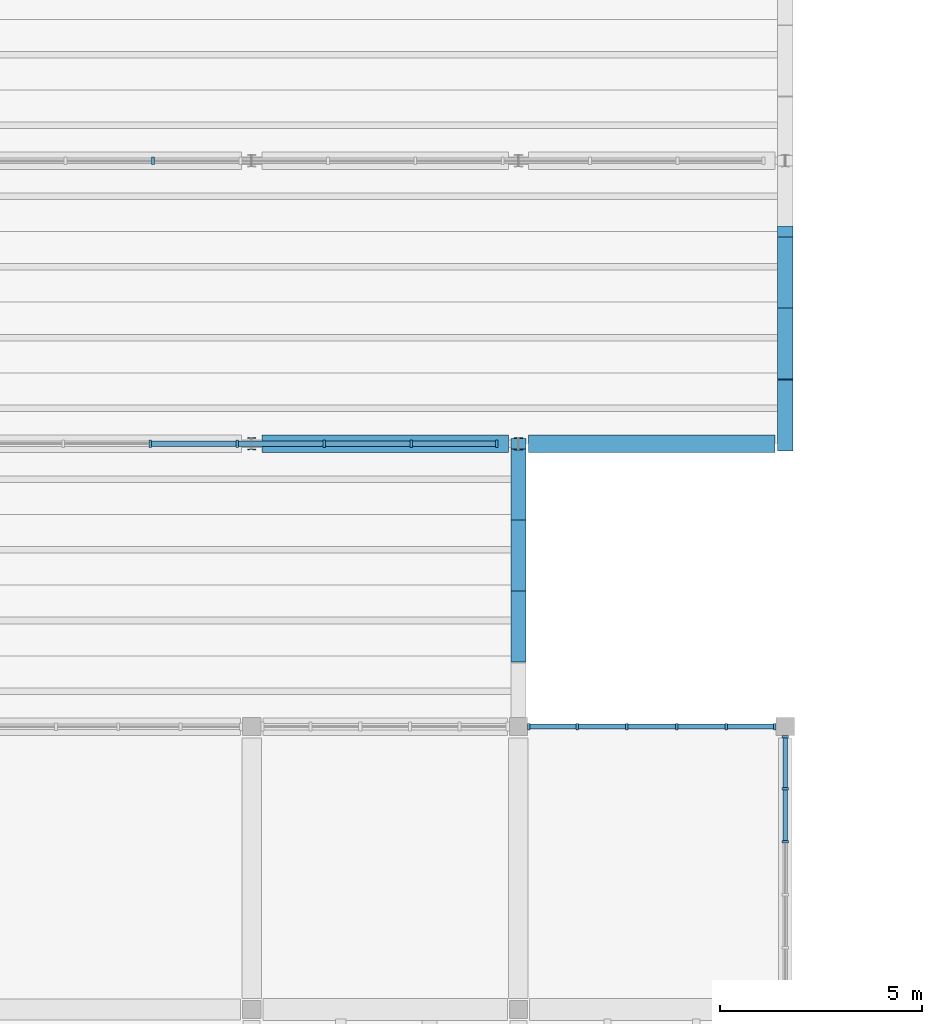
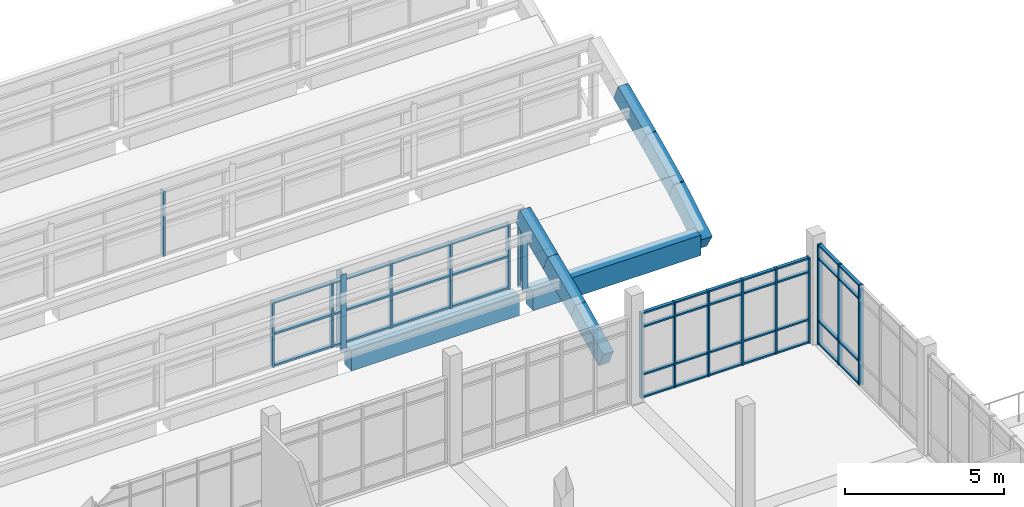
# One storey, part 34 of 92: 57 members, 8 beams, 4 elements without a shape of their own.
"""IFC4 building model written with IfcOpenShell, lengths in metres."""

from ifc_helpers import new_model, si_unit, direction, frame, origin, origin_2d, place, context, subcontext, project, spatial, rectangle, i_section, extrude, material, material_profile, profile_set, type_object, element, aggregate, save


model = new_model("IFC4")

# Units and contexts
model_context = context("Model", 3, precision=1e-05, world=origin(), true_north=direction((0.0, 1.0)))
body_context = subcontext(model_context, "Body", "Model", "MODEL_VIEW")
ifc_project = project(units=[si_unit("LENGTHUNIT", "METRE"), si_unit("AREAUNIT", "SQUARE_METRE"), si_unit("VOLUMEUNIT", "CUBIC_METRE"), si_unit("PLANEANGLEUNIT", "RADIAN"), si_unit("MASSUNIT", "GRAM", prefix="KILO")], contexts=[model_context])

# Site, building, storey
site_placement = place(None, origin())
site = spatial("IfcSite", under=ifc_project, at=site_placement, CompositionType="ELEMENT")
building_placement = place(site_placement, origin())
building = spatial("IfcBuilding", under=site, at=building_placement, Name="Ciguamira Faculty of Natural Sciences", CompositionType="ELEMENT")
storey_placement = place(building_placement, frame((0.0, 0.0, 16.800048828125)))
storey = spatial("IfcBuildingStorey", under=building, at=storey_placement, Name="L04", CompositionType="ELEMENT", Elevation=16.800048828125)

# Curtain wall, members
ifc_material_1 = material(Name="Anodized aluminium curtain wall", Category="aluminium")
curtain_wall_type_1 = type_object("IfcCurtainWallType", Name="CurtainWall_CW-01", PredefinedType="USERDEFINED", material=ifc_material_1)
curtain_wall_1_placement = place(storey_placement, origin())
curtain_wall_1 = element("IfcCurtainWall", 1, at=curtain_wall_1_placement, inside=storey, type_object=curtain_wall_type_1, Name="L04 unitised curtain wall 0121", ObjectType="UNITISED CURTAIN WALL", PredefinedType="USERDEFINED")
ifc_material_2 = material(Name="Anodized aluminium mullion", Category="aluminium")
ifc_material_profile_1 = material_profile(ifc_material_2, rectangle(XDim=0.06005859375, YDim=0.159912109375, at=origin_2d()), Name="ALU-MUL-60X160")
ifc_profile_set_1 = profile_set([ifc_material_profile_1], Name="Anodized aluminium mullion")
member_type_1 = type_object("IfcMemberType", Name="CWMullion_CWM-01", PredefinedType="MULLION", material=ifc_profile_set_1)
member_1_placement = place(storey_placement, frame((110.35498046875, 38.0, 0.0), z_axis=(0.0, 0.0, 1.0), x_axis=(1.0, 0.0, 0.0)))
member_1 = element("IfcMember", 2, at=member_1_placement, type_object=member_type_1, Name="CW-01 mullion 1", PredefinedType="MULLION", context=body_context, shape_type="SweptSolid", body=[
    extrude(rectangle(XDim=0.06005859375, YDim=0.159912109375, at=origin_2d()), origin(), (0.0, 0.0, 1.0), 3.284912109375),
])
member_2_placement = place(storey_placement, frame((111.554931640625, 38.0, 0.0), z_axis=(0.0, 0.0, 1.0), x_axis=(1.0, 0.0, 0.0)))
member_2 = element("IfcMember", 3, at=member_2_placement, type_object=member_type_1, Name="CW-01 mullion 2", PredefinedType="MULLION", context=body_context, shape_type="SweptSolid", body=[
    extrude(rectangle(XDim=0.06005859375, YDim=0.159912109375, at=origin_2d()), origin(), (0.0, 0.0, 1.0), 3.284912109375),
])
member_3_placement = place(storey_placement, frame((112.784912109375, 38.0, 0.0), z_axis=(0.0, 0.0, 1.0), x_axis=(1.0, 0.0, 0.0)))
member_3 = element("IfcMember", 4, at=member_3_placement, type_object=member_type_1, Name="CW-01 mullion 3", PredefinedType="MULLION", context=body_context, shape_type="SweptSolid", body=[
    extrude(rectangle(XDim=0.06005859375, YDim=0.159912109375, at=origin_2d()), origin(), (0.0, 0.0, 1.0), 3.284912109375),
])
member_4_placement = place(storey_placement, frame((114.014892578125, 38.0, 0.0), z_axis=(0.0, 0.0, 1.0), x_axis=(1.0, 0.0, 0.0)))
member_4 = element("IfcMember", 5, at=member_4_placement, type_object=member_type_1, Name="CW-01 mullion 4", PredefinedType="MULLION", context=body_context, shape_type="SweptSolid", body=[
    extrude(rectangle(XDim=0.06005859375, YDim=0.159912109375, at=origin_2d()), origin(), (0.0, 0.0, 1.0), 3.284912109375),
])
member_5_placement = place(storey_placement, frame((115.2451171875, 38.0, 0.0), z_axis=(0.0, 0.0, 1.0), x_axis=(1.0, 0.0, 0.0)))
member_5 = element("IfcMember", 6, at=member_5_placement, type_object=member_type_1, Name="CW-01 mullion 5", PredefinedType="MULLION", context=body_context, shape_type="SweptSolid", body=[
    extrude(rectangle(XDim=0.06005859375, YDim=0.159912109375, at=origin_2d()), origin(), (0.0, 0.0, 1.0), 3.284912109375),
])
member_6_placement = place(storey_placement, frame((116.445068359375, 38.0, 0.0), z_axis=(0.0, 0.0, 1.0), x_axis=(1.0, 0.0, 0.0)))
member_6 = element("IfcMember", 7, at=member_6_placement, type_object=member_type_1, Name="CW-01 mullion 6", PredefinedType="MULLION", context=body_context, shape_type="SweptSolid", body=[
    extrude(rectangle(XDim=0.06005859375, YDim=0.159912109375, at=origin_2d()), origin(), (0.0, 0.0, 1.0), 3.284912109375),
])

curtain_wall_2_placement = place(storey_placement, origin())
curtain_wall_2 = element("IfcCurtainWall", 8, at=curtain_wall_2_placement, inside=storey, type_object=curtain_wall_type_1, Name="L04 unitised curtain wall 0133", ObjectType="UNITISED CURTAIN WALL", PredefinedType="USERDEFINED")
member_7_placement = place(storey_placement, frame((116.699951171875, 35.155029296875, 0.0), z_axis=(0.0, 0.0, 1.0), x_axis=(0.0, 1.0, 0.0)))
member_7 = element("IfcMember", 9, at=member_7_placement, type_object=member_type_1, Name="CW-01 mullion 4", PredefinedType="MULLION", context=body_context, shape_type="SweptSolid", body=[
    extrude(rectangle(XDim=0.06005859375, YDim=0.159912109375, at=origin_2d()), origin(), (0.0, 0.0, 1.0), 3.849853515625),
])
member_8_placement = place(storey_placement, frame((116.699951171875, 36.465087890625, 0.0), z_axis=(0.0, 0.0, 1.0), x_axis=(0.0, 1.0, 0.0)))
member_8 = element("IfcMember", 10, at=member_8_placement, type_object=member_type_1, Name="CW-01 mullion 5", PredefinedType="MULLION", context=body_context, shape_type="SweptSolid", body=[
    extrude(rectangle(XDim=0.06005859375, YDim=0.159912109375, at=origin_2d()), origin(), (0.0, 0.0, 1.0), 3.849853515625),
])
member_9_placement = place(storey_placement, frame((116.699951171875, 37.7451171875, 0.0), z_axis=(0.0, 0.0, 1.0), x_axis=(0.0, 1.0, 0.0)))
member_9 = element("IfcMember", 11, at=member_9_placement, type_object=member_type_1, Name="CW-01 mullion 6", PredefinedType="MULLION", context=body_context, shape_type="SweptSolid", body=[
    extrude(rectangle(XDim=0.06005859375, YDim=0.159912109375, at=origin_2d()), origin(), (0.0, 0.0, 1.0), 3.849853515625),
])

curtain_wall_type_2 = type_object("IfcCurtainWallType", Name="CurtainWall_CW-02", PredefinedType="USERDEFINED", material=ifc_material_1)
curtain_wall_3_placement = place(storey_placement, origin())
curtain_wall_3 = element("IfcCurtainWall", 12, at=curtain_wall_3_placement, inside=storey, type_object=curtain_wall_type_2, Name="V4 north-light wave 1 clerestory glazing 1", ObjectType="UNITISED CURTAIN WALL", PredefinedType="USERDEFINED")
ifc_material_profile_2 = material_profile(ifc_material_2, rectangle(XDim=0.070068359375, YDim=0.179931640625, at=origin_2d()), Name="ALU-MUL-70X180")
ifc_profile_set_2 = profile_set([ifc_material_profile_2], Name="Anodized aluminium mullion")
member_type_2 = type_object("IfcMemberType", Name="CWMullion_CWM-02", PredefinedType="MULLION", material=ifc_profile_set_2)
member_10_placement = place(storey_placement, frame((100.990478515625, 45.0, 0.25), z_axis=(0.0, 0.0, 1.0), x_axis=(1.0, 0.0, 0.0)))
member_10 = element("IfcMember", 13, at=member_10_placement, type_object=member_type_2, Name="CW-02 mullion 18", PredefinedType="MULLION", context=body_context, shape_type="SweptSolid", body=[
    extrude(rectangle(XDim=0.070068359375, YDim=0.179931640625, at=origin_2d()), origin(), (0.0, 0.0, 1.0), 2.5),
])
member_11_placement = place(storey_placement, frame((103.142822265625, 45.0, 0.25), z_axis=(0.0, 0.0, 1.0), x_axis=(1.0, 0.0, 0.0)))
member_11 = element("IfcMember", 14, at=member_11_placement, type_object=member_type_2, Name="CW-02 mullion 19", PredefinedType="MULLION", context=body_context, shape_type="SweptSolid", body=[
    extrude(rectangle(XDim=0.070068359375, YDim=0.179931640625, at=origin_2d()), origin(), (0.0, 0.0, 1.0), 2.5),
])
member_12_placement = place(storey_placement, frame((105.295166015625, 45.0, 0.25), z_axis=(0.0, 0.0, 1.0), x_axis=(1.0, 0.0, 0.0)))
member_12 = element("IfcMember", 15, at=member_12_placement, type_object=member_type_2, Name="CW-02 mullion 20", PredefinedType="MULLION", context=body_context, shape_type="SweptSolid", body=[
    extrude(rectangle(XDim=0.070068359375, YDim=0.179931640625, at=origin_2d()), origin(), (0.0, 0.0, 1.0), 2.5),
])
member_13_placement = place(storey_placement, frame((107.447509765625, 45.0, 0.25), z_axis=(0.0, 0.0, 1.0), x_axis=(1.0, 0.0, 0.0)))
member_13 = element("IfcMember", 16, at=member_13_placement, type_object=member_type_2, Name="CW-02 mullion 21", PredefinedType="MULLION", context=body_context, shape_type="SweptSolid", body=[
    extrude(rectangle(XDim=0.070068359375, YDim=0.179931640625, at=origin_2d()), origin(), (0.0, 0.0, 1.0), 2.5),
])
member_14_placement = place(storey_placement, frame((109.56494140625, 45.0, 0.25), z_axis=(0.0, 0.0, 1.0), x_axis=(1.0, 0.0, 0.0)))
member_14 = element("IfcMember", 17, at=member_14_placement, type_object=member_type_2, Name="CW-02 mullion 22", PredefinedType="MULLION", context=body_context, shape_type="SweptSolid", body=[
    extrude(rectangle(XDim=0.070068359375, YDim=0.179931640625, at=origin_2d()), origin(), (0.0, 0.0, 1.0), 2.5),
])

# Curtain wall, member
curtain_wall_type_3 = type_object("IfcCurtainWallType", Name="CurtainWall_CW-03", PredefinedType="USERDEFINED", material=ifc_material_1)
curtain_wall_4_placement = place(storey_placement, origin())
curtain_wall_4 = element("IfcCurtainWall", 18, at=curtain_wall_4_placement, inside=storey, type_object=curtain_wall_type_3, Name="V4 north-light wave 2 clerestory glazing 1", ObjectType="UNITISED CURTAIN WALL", PredefinedType="USERDEFINED")
member_15_placement = place(storey_placement, frame((101.059326171875, 52.0, 0.25), z_axis=(0.0, 0.0, 1.0), x_axis=(1.0, 0.0, 0.0)))
member_15 = element("IfcMember", 19, at=member_15_placement, type_object=member_type_2, Name="CW-03 mullion 21", PredefinedType="MULLION", context=body_context, shape_type="SweptSolid", body=[
    extrude(rectangle(XDim=0.070068359375, YDim=0.179931640625, at=origin_2d()), origin(), (0.0, 0.0, 1.0), 2.5),
])
aggregate(curtain_wall_4, [member_15])

# Member
ifc_material_3 = material(Name="Anodized aluminium transom", Category="aluminium")
ifc_material_profile_3 = material_profile(ifc_material_3, rectangle(XDim=0.06005859375, YDim=0.1201171875, at=origin_2d()), Name="ALU-TRN-60X120")
ifc_profile_set_3 = profile_set([ifc_material_profile_3], Name="Anodized aluminium transom")
member_type_3 = type_object("IfcMemberType", Name="CWTransom_CWT-01", PredefinedType="USERDEFINED", material=ifc_profile_set_3)
member_16_placement = place(storey_placement, frame((110.385009765625, 38.0, 0.030029296875), z_axis=(1.0, 0.0, 0.0), x_axis=(0.0, 0.0, 1.0)))
member_16 = element("IfcMember", 20, at=member_16_placement, type_object=member_type_3, Name="CW-01 transom 1.1", ObjectType="TRANSOM", PredefinedType="USERDEFINED", context=body_context, shape_type="SweptSolid", body=[
    extrude(rectangle(XDim=0.06005859375, YDim=0.1201171875, at=origin_2d()), origin(), (0.0, 0.0, 1.0), 1.139892578125),
])

member_17_placement = place(storey_placement, frame((110.385009765625, 38.0, 0.89990234375), z_axis=(1.0, 0.0, 0.0), x_axis=(0.0, 0.0, 1.0)))
member_17 = element("IfcMember", 21, at=member_17_placement, type_object=member_type_3, Name="CW-01 transom 1.2", ObjectType="TRANSOM", PredefinedType="USERDEFINED", context=body_context, shape_type="SweptSolid", body=[
    extrude(rectangle(XDim=0.06005859375, YDim=0.1201171875, at=origin_2d()), origin(), (0.0, 0.0, 1.0), 1.139892578125),
])

member_18_placement = place(storey_placement, frame((110.385009765625, 38.0, 2.73486328125), z_axis=(1.0, 0.0, 0.0), x_axis=(0.0, 0.0, 1.0)))
member_18 = element("IfcMember", 22, at=member_18_placement, type_object=member_type_3, Name="CW-01 transom 1.3", ObjectType="TRANSOM", PredefinedType="USERDEFINED", context=body_context, shape_type="SweptSolid", body=[
    extrude(rectangle(XDim=0.06005859375, YDim=0.1201171875, at=origin_2d()), origin(), (0.0, 0.0, 1.0), 1.139892578125),
])

member_19_placement = place(storey_placement, frame((110.385009765625, 38.0, 3.2548828125), z_axis=(1.0, 0.0, 0.0), x_axis=(0.0, 0.0, 1.0)))
member_19 = element("IfcMember", 23, at=member_19_placement, type_object=member_type_3, Name="CW-01 transom 1.4", ObjectType="TRANSOM", PredefinedType="USERDEFINED", context=body_context, shape_type="SweptSolid", body=[
    extrude(rectangle(XDim=0.06005859375, YDim=0.1201171875, at=origin_2d()), origin(), (0.0, 0.0, 1.0), 1.139892578125),
])

member_20_placement = place(storey_placement, frame((111.5849609375, 38.0, 0.030029296875), z_axis=(1.0, 0.0, 0.0), x_axis=(0.0, 0.0, 1.0)))
member_20 = element("IfcMember", 24, at=member_20_placement, type_object=member_type_3, Name="CW-01 transom 2.1", ObjectType="TRANSOM", PredefinedType="USERDEFINED", context=body_context, shape_type="SweptSolid", body=[
    extrude(rectangle(XDim=0.06005859375, YDim=0.1201171875, at=origin_2d()), origin(), (0.0, 0.0, 1.0), 1.169921875),
])

member_21_placement = place(storey_placement, frame((111.5849609375, 38.0, 0.89990234375), z_axis=(1.0, 0.0, 0.0), x_axis=(0.0, 0.0, 1.0)))
member_21 = element("IfcMember", 25, at=member_21_placement, type_object=member_type_3, Name="CW-01 transom 2.2", ObjectType="TRANSOM", PredefinedType="USERDEFINED", context=body_context, shape_type="SweptSolid", body=[
    extrude(rectangle(XDim=0.06005859375, YDim=0.1201171875, at=origin_2d()), origin(), (0.0, 0.0, 1.0), 1.169921875),
])

member_22_placement = place(storey_placement, frame((111.5849609375, 38.0, 2.73486328125), z_axis=(1.0, 0.0, 0.0), x_axis=(0.0, 0.0, 1.0)))
member_22 = element("IfcMember", 26, at=member_22_placement, type_object=member_type_3, Name="CW-01 transom 2.3", ObjectType="TRANSOM", PredefinedType="USERDEFINED", context=body_context, shape_type="SweptSolid", body=[
    extrude(rectangle(XDim=0.06005859375, YDim=0.1201171875, at=origin_2d()), origin(), (0.0, 0.0, 1.0), 1.169921875),
])

member_23_placement = place(storey_placement, frame((111.5849609375, 38.0, 3.2548828125), z_axis=(1.0, 0.0, 0.0), x_axis=(0.0, 0.0, 1.0)))
member_23 = element("IfcMember", 27, at=member_23_placement, type_object=member_type_3, Name="CW-01 transom 2.4", ObjectType="TRANSOM", PredefinedType="USERDEFINED", context=body_context, shape_type="SweptSolid", body=[
    extrude(rectangle(XDim=0.06005859375, YDim=0.1201171875, at=origin_2d()), origin(), (0.0, 0.0, 1.0), 1.169921875),
])

member_24_placement = place(storey_placement, frame((112.81494140625, 38.0, 0.030029296875), z_axis=(1.0, 0.0, 0.0), x_axis=(0.0, 0.0, 1.0)))
member_24 = element("IfcMember", 28, at=member_24_placement, type_object=member_type_3, Name="CW-01 transom 3.1", ObjectType="TRANSOM", PredefinedType="USERDEFINED", context=body_context, shape_type="SweptSolid", body=[
    extrude(rectangle(XDim=0.06005859375, YDim=0.1201171875, at=origin_2d()), origin(), (0.0, 0.0, 1.0), 1.170166015625),
])

member_25_placement = place(storey_placement, frame((112.81494140625, 38.0, 0.89990234375), z_axis=(1.0, 0.0, 0.0), x_axis=(0.0, 0.0, 1.0)))
member_25 = element("IfcMember", 29, at=member_25_placement, type_object=member_type_3, Name="CW-01 transom 3.2", ObjectType="TRANSOM", PredefinedType="USERDEFINED", context=body_context, shape_type="SweptSolid", body=[
    extrude(rectangle(XDim=0.06005859375, YDim=0.1201171875, at=origin_2d()), origin(), (0.0, 0.0, 1.0), 1.170166015625),
])

member_26_placement = place(storey_placement, frame((112.81494140625, 38.0, 2.73486328125), z_axis=(1.0, 0.0, 0.0), x_axis=(0.0, 0.0, 1.0)))
member_26 = element("IfcMember", 30, at=member_26_placement, type_object=member_type_3, Name="CW-01 transom 3.3", ObjectType="TRANSOM", PredefinedType="USERDEFINED", context=body_context, shape_type="SweptSolid", body=[
    extrude(rectangle(XDim=0.06005859375, YDim=0.1201171875, at=origin_2d()), origin(), (0.0, 0.0, 1.0), 1.170166015625),
])

member_27_placement = place(storey_placement, frame((112.81494140625, 38.0, 3.2548828125), z_axis=(1.0, 0.0, 0.0), x_axis=(0.0, 0.0, 1.0)))
member_27 = element("IfcMember", 31, at=member_27_placement, type_object=member_type_3, Name="CW-01 transom 3.4", ObjectType="TRANSOM", PredefinedType="USERDEFINED", context=body_context, shape_type="SweptSolid", body=[
    extrude(rectangle(XDim=0.06005859375, YDim=0.1201171875, at=origin_2d()), origin(), (0.0, 0.0, 1.0), 1.170166015625),
])

member_28_placement = place(storey_placement, frame((114.044921875, 38.0, 0.030029296875), z_axis=(1.0, 0.0, 0.0), x_axis=(0.0, 0.0, 1.0)))
member_28 = element("IfcMember", 32, at=member_28_placement, type_object=member_type_3, Name="CW-01 transom 4.1", ObjectType="TRANSOM", PredefinedType="USERDEFINED", context=body_context, shape_type="SweptSolid", body=[
    extrude(rectangle(XDim=0.06005859375, YDim=0.1201171875, at=origin_2d()), origin(), (0.0, 0.0, 1.0), 1.170166015625),
])

member_29_placement = place(storey_placement, frame((114.044921875, 38.0, 0.89990234375), z_axis=(1.0, 0.0, 0.0), x_axis=(0.0, 0.0, 1.0)))
member_29 = element("IfcMember", 33, at=member_29_placement, type_object=member_type_3, Name="CW-01 transom 4.2", ObjectType="TRANSOM", PredefinedType="USERDEFINED", context=body_context, shape_type="SweptSolid", body=[
    extrude(rectangle(XDim=0.06005859375, YDim=0.1201171875, at=origin_2d()), origin(), (0.0, 0.0, 1.0), 1.170166015625),
])

member_30_placement = place(storey_placement, frame((114.044921875, 38.0, 2.73486328125), z_axis=(1.0, 0.0, 0.0), x_axis=(0.0, 0.0, 1.0)))
member_30 = element("IfcMember", 34, at=member_30_placement, type_object=member_type_3, Name="CW-01 transom 4.3", ObjectType="TRANSOM", PredefinedType="USERDEFINED", context=body_context, shape_type="SweptSolid", body=[
    extrude(rectangle(XDim=0.06005859375, YDim=0.1201171875, at=origin_2d()), origin(), (0.0, 0.0, 1.0), 1.170166015625),
])

member_31_placement = place(storey_placement, frame((114.044921875, 38.0, 3.2548828125), z_axis=(1.0, 0.0, 0.0), x_axis=(0.0, 0.0, 1.0)))
member_31 = element("IfcMember", 35, at=member_31_placement, type_object=member_type_3, Name="CW-01 transom 4.4", ObjectType="TRANSOM", PredefinedType="USERDEFINED", context=body_context, shape_type="SweptSolid", body=[
    extrude(rectangle(XDim=0.06005859375, YDim=0.1201171875, at=origin_2d()), origin(), (0.0, 0.0, 1.0), 1.170166015625),
])

member_32_placement = place(storey_placement, frame((115.27490234375, 38.0, 0.030029296875), z_axis=(1.0, 0.0, 0.0), x_axis=(0.0, 0.0, 1.0)))
member_32 = element("IfcMember", 36, at=member_32_placement, type_object=member_type_3, Name="CW-01 transom 5.1", ObjectType="TRANSOM", PredefinedType="USERDEFINED", context=body_context, shape_type="SweptSolid", body=[
    extrude(rectangle(XDim=0.06005859375, YDim=0.1201171875, at=origin_2d()), origin(), (0.0, 0.0, 1.0), 1.14013671875),
])

member_33_placement = place(storey_placement, frame((115.27490234375, 38.0, 0.89990234375), z_axis=(1.0, 0.0, 0.0), x_axis=(0.0, 0.0, 1.0)))
member_33 = element("IfcMember", 37, at=member_33_placement, type_object=member_type_3, Name="CW-01 transom 5.2", ObjectType="TRANSOM", PredefinedType="USERDEFINED", context=body_context, shape_type="SweptSolid", body=[
    extrude(rectangle(XDim=0.06005859375, YDim=0.1201171875, at=origin_2d()), origin(), (0.0, 0.0, 1.0), 1.14013671875),
])

member_34_placement = place(storey_placement, frame((115.27490234375, 38.0, 2.73486328125), z_axis=(1.0, 0.0, 0.0), x_axis=(0.0, 0.0, 1.0)))
member_34 = element("IfcMember", 38, at=member_34_placement, type_object=member_type_3, Name="CW-01 transom 5.3", ObjectType="TRANSOM", PredefinedType="USERDEFINED", context=body_context, shape_type="SweptSolid", body=[
    extrude(rectangle(XDim=0.06005859375, YDim=0.1201171875, at=origin_2d()), origin(), (0.0, 0.0, 1.0), 1.14013671875),
])

member_35_placement = place(storey_placement, frame((115.27490234375, 38.0, 3.2548828125), z_axis=(1.0, 0.0, 0.0), x_axis=(0.0, 0.0, 1.0)))
member_35 = element("IfcMember", 39, at=member_35_placement, type_object=member_type_3, Name="CW-01 transom 5.4", ObjectType="TRANSOM", PredefinedType="USERDEFINED", context=body_context, shape_type="SweptSolid", body=[
    extrude(rectangle(XDim=0.06005859375, YDim=0.1201171875, at=origin_2d()), origin(), (0.0, 0.0, 1.0), 1.14013671875),
])

aggregate(curtain_wall_1, [member_1, member_2, member_3, member_4, member_5, member_6, member_16, member_17, member_18, member_19, member_20, member_21, member_22, member_23, member_24, member_25, member_26, member_27, member_28, member_29, member_30, member_31, member_32, member_33, member_34, member_35])

member_36_placement = place(storey_placement, frame((116.699951171875, 35.18505859375, 0.030029296875), z_axis=(0.0, 1.0, 0.0), x_axis=(0.0, 0.0, 1.0)))
member_36 = element("IfcMember", 40, at=member_36_placement, type_object=member_type_3, Name="CW-01 transom 4.1", ObjectType="TRANSOM", PredefinedType="USERDEFINED", context=body_context, shape_type="SweptSolid", body=[
    extrude(rectangle(XDim=0.06005859375, YDim=0.1201171875, at=origin_2d()), origin(), (0.0, 0.0, 1.0), 1.25),
])

member_37_placement = place(storey_placement, frame((116.699951171875, 35.18505859375, 0.89990234375), z_axis=(0.0, 1.0, 0.0), x_axis=(0.0, 0.0, 1.0)))
member_37 = element("IfcMember", 41, at=member_37_placement, type_object=member_type_3, Name="CW-01 transom 4.2", ObjectType="TRANSOM", PredefinedType="USERDEFINED", context=body_context, shape_type="SweptSolid", body=[
    extrude(rectangle(XDim=0.06005859375, YDim=0.1201171875, at=origin_2d()), origin(), (0.0, 0.0, 1.0), 1.25),
])

member_38_placement = place(storey_placement, frame((116.699951171875, 35.18505859375, 3.300048828125), z_axis=(0.0, 1.0, 0.0), x_axis=(0.0, 0.0, 1.0)))
member_38 = element("IfcMember", 42, at=member_38_placement, type_object=member_type_3, Name="CW-01 transom 4.3", ObjectType="TRANSOM", PredefinedType="USERDEFINED", context=body_context, shape_type="SweptSolid", body=[
    extrude(rectangle(XDim=0.06005859375, YDim=0.1201171875, at=origin_2d()), origin(), (0.0, 0.0, 1.0), 1.25),
])

member_39_placement = place(storey_placement, frame((116.699951171875, 35.18505859375, 3.820068359375), z_axis=(0.0, 1.0, 0.0), x_axis=(0.0, 0.0, 1.0)))
member_39 = element("IfcMember", 43, at=member_39_placement, type_object=member_type_3, Name="CW-01 transom 4.4", ObjectType="TRANSOM", PredefinedType="USERDEFINED", context=body_context, shape_type="SweptSolid", body=[
    extrude(rectangle(XDim=0.06005859375, YDim=0.1201171875, at=origin_2d()), origin(), (0.0, 0.0, 1.0), 1.25),
])

member_40_placement = place(storey_placement, frame((116.699951171875, 36.4951171875, 0.030029296875), z_axis=(0.0, 1.0, 0.0), x_axis=(0.0, 0.0, 1.0)))
member_40 = element("IfcMember", 44, at=member_40_placement, type_object=member_type_3, Name="CW-01 transom 5.1", ObjectType="TRANSOM", PredefinedType="USERDEFINED", context=body_context, shape_type="SweptSolid", body=[
    extrude(rectangle(XDim=0.06005859375, YDim=0.1201171875, at=origin_2d()), origin(), (0.0, 0.0, 1.0), 1.219970703125),
])

member_41_placement = place(storey_placement, frame((116.699951171875, 36.4951171875, 0.89990234375), z_axis=(0.0, 1.0, 0.0), x_axis=(0.0, 0.0, 1.0)))
member_41 = element("IfcMember", 45, at=member_41_placement, type_object=member_type_3, Name="CW-01 transom 5.2", ObjectType="TRANSOM", PredefinedType="USERDEFINED", context=body_context, shape_type="SweptSolid", body=[
    extrude(rectangle(XDim=0.06005859375, YDim=0.1201171875, at=origin_2d()), origin(), (0.0, 0.0, 1.0), 1.219970703125),
])

member_42_placement = place(storey_placement, frame((116.699951171875, 36.4951171875, 3.300048828125), z_axis=(0.0, 1.0, 0.0), x_axis=(0.0, 0.0, 1.0)))
member_42 = element("IfcMember", 46, at=member_42_placement, type_object=member_type_3, Name="CW-01 transom 5.3", ObjectType="TRANSOM", PredefinedType="USERDEFINED", context=body_context, shape_type="SweptSolid", body=[
    extrude(rectangle(XDim=0.06005859375, YDim=0.1201171875, at=origin_2d()), origin(), (0.0, 0.0, 1.0), 1.219970703125),
])

member_43_placement = place(storey_placement, frame((116.699951171875, 36.4951171875, 3.820068359375), z_axis=(0.0, 1.0, 0.0), x_axis=(0.0, 0.0, 1.0)))
member_43 = element("IfcMember", 47, at=member_43_placement, type_object=member_type_3, Name="CW-01 transom 5.4", ObjectType="TRANSOM", PredefinedType="USERDEFINED", context=body_context, shape_type="SweptSolid", body=[
    extrude(rectangle(XDim=0.06005859375, YDim=0.1201171875, at=origin_2d()), origin(), (0.0, 0.0, 1.0), 1.219970703125),
])

aggregate(curtain_wall_2, [member_7, member_8, member_9, member_36, member_37, member_38, member_39, member_40, member_41, member_42, member_43])

ifc_material_profile_4 = material_profile(ifc_material_3, rectangle(XDim=0.070068359375, YDim=0.139892578125, at=origin_2d()), Name="ALU-TRN-70X140")
ifc_profile_set_4 = profile_set([ifc_material_profile_4], Name="Anodized aluminium transom")
member_type_4 = type_object("IfcMemberType", Name="CWTransom_CWT-02", PredefinedType="USERDEFINED", material=ifc_profile_set_4)
member_44_placement = place(storey_placement, frame((101.025390625, 45.0, 0.284912109375), z_axis=(1.0, 0.0, 0.0), x_axis=(0.0, 0.0, 1.0)))
member_44 = element("IfcMember", 48, at=member_44_placement, type_object=member_type_4, Name="CW-02 transom 18.1", ObjectType="TRANSOM", PredefinedType="USERDEFINED", context=body_context, shape_type="SweptSolid", body=[
    extrude(rectangle(XDim=0.070068359375, YDim=0.139892578125, at=origin_2d()), origin(), (0.0, 0.0, 1.0), 2.08251953125),
])

member_45_placement = place(storey_placement, frame((101.025390625, 45.0, 1.5), z_axis=(1.0, 0.0, 0.0), x_axis=(0.0, 0.0, 1.0)))
member_45 = element("IfcMember", 49, at=member_45_placement, type_object=member_type_4, Name="CW-02 transom 18.2", ObjectType="TRANSOM", PredefinedType="USERDEFINED", context=body_context, shape_type="SweptSolid", body=[
    extrude(rectangle(XDim=0.070068359375, YDim=0.139892578125, at=origin_2d()), origin(), (0.0, 0.0, 1.0), 2.08251953125),
])

member_46_placement = place(storey_placement, frame((101.025390625, 45.0, 2.71484375), z_axis=(1.0, 0.0, 0.0), x_axis=(0.0, 0.0, 1.0)))
member_46 = element("IfcMember", 50, at=member_46_placement, type_object=member_type_4, Name="CW-02 transom 18.3", ObjectType="TRANSOM", PredefinedType="USERDEFINED", context=body_context, shape_type="SweptSolid", body=[
    extrude(rectangle(XDim=0.070068359375, YDim=0.139892578125, at=origin_2d()), origin(), (0.0, 0.0, 1.0), 2.08251953125),
])

member_47_placement = place(storey_placement, frame((103.177978515625, 45.0, 0.284912109375), z_axis=(1.0, 0.0, 0.0), x_axis=(0.0, 0.0, 1.0)))
member_47 = element("IfcMember", 51, at=member_47_placement, type_object=member_type_4, Name="CW-02 transom 19.1", ObjectType="TRANSOM", PredefinedType="USERDEFINED", context=body_context, shape_type="SweptSolid", body=[
    extrude(rectangle(XDim=0.070068359375, YDim=0.139892578125, at=origin_2d()), origin(), (0.0, 0.0, 1.0), 2.082275390625),
])

member_48_placement = place(storey_placement, frame((103.177978515625, 45.0, 1.5), z_axis=(1.0, 0.0, 0.0), x_axis=(0.0, 0.0, 1.0)))
member_48 = element("IfcMember", 52, at=member_48_placement, type_object=member_type_4, Name="CW-02 transom 19.2", ObjectType="TRANSOM", PredefinedType="USERDEFINED", context=body_context, shape_type="SweptSolid", body=[
    extrude(rectangle(XDim=0.070068359375, YDim=0.139892578125, at=origin_2d()), origin(), (0.0, 0.0, 1.0), 2.082275390625),
])

member_49_placement = place(storey_placement, frame((103.177978515625, 45.0, 2.71484375), z_axis=(1.0, 0.0, 0.0), x_axis=(0.0, 0.0, 1.0)))
member_49 = element("IfcMember", 53, at=member_49_placement, type_object=member_type_4, Name="CW-02 transom 19.3", ObjectType="TRANSOM", PredefinedType="USERDEFINED", context=body_context, shape_type="SweptSolid", body=[
    extrude(rectangle(XDim=0.070068359375, YDim=0.139892578125, at=origin_2d()), origin(), (0.0, 0.0, 1.0), 2.082275390625),
])

member_50_placement = place(storey_placement, frame((105.330322265625, 45.0, 0.284912109375), z_axis=(1.0, 0.0, 0.0), x_axis=(0.0, 0.0, 1.0)))
member_50 = element("IfcMember", 54, at=member_50_placement, type_object=member_type_4, Name="CW-02 transom 20.1", ObjectType="TRANSOM", PredefinedType="USERDEFINED", context=body_context, shape_type="SweptSolid", body=[
    extrude(rectangle(XDim=0.070068359375, YDim=0.139892578125, at=origin_2d()), origin(), (0.0, 0.0, 1.0), 2.082275390625),
])

member_51_placement = place(storey_placement, frame((105.330322265625, 45.0, 1.5), z_axis=(1.0, 0.0, 0.0), x_axis=(0.0, 0.0, 1.0)))
member_51 = element("IfcMember", 55, at=member_51_placement, type_object=member_type_4, Name="CW-02 transom 20.2", ObjectType="TRANSOM", PredefinedType="USERDEFINED", context=body_context, shape_type="SweptSolid", body=[
    extrude(rectangle(XDim=0.070068359375, YDim=0.139892578125, at=origin_2d()), origin(), (0.0, 0.0, 1.0), 2.082275390625),
])

member_52_placement = place(storey_placement, frame((105.330322265625, 45.0, 2.71484375), z_axis=(1.0, 0.0, 0.0), x_axis=(0.0, 0.0, 1.0)))
member_52 = element("IfcMember", 56, at=member_52_placement, type_object=member_type_4, Name="CW-02 transom 20.3", ObjectType="TRANSOM", PredefinedType="USERDEFINED", context=body_context, shape_type="SweptSolid", body=[
    extrude(rectangle(XDim=0.070068359375, YDim=0.139892578125, at=origin_2d()), origin(), (0.0, 0.0, 1.0), 2.082275390625),
])

member_53_placement = place(storey_placement, frame((107.482666015625, 45.0, 0.284912109375), z_axis=(1.0, 0.0, 0.0), x_axis=(0.0, 0.0, 1.0)))
member_53 = element("IfcMember", 57, at=member_53_placement, type_object=member_type_4, Name="CW-02 transom 21.1", ObjectType="TRANSOM", PredefinedType="USERDEFINED", context=body_context, shape_type="SweptSolid", body=[
    extrude(rectangle(XDim=0.070068359375, YDim=0.139892578125, at=origin_2d()), origin(), (0.0, 0.0, 1.0), 2.04736328125),
])

member_54_placement = place(storey_placement, frame((107.482666015625, 45.0, 1.5), z_axis=(1.0, 0.0, 0.0), x_axis=(0.0, 0.0, 1.0)))
member_54 = element("IfcMember", 58, at=member_54_placement, type_object=member_type_4, Name="CW-02 transom 21.2", ObjectType="TRANSOM", PredefinedType="USERDEFINED", context=body_context, shape_type="SweptSolid", body=[
    extrude(rectangle(XDim=0.070068359375, YDim=0.139892578125, at=origin_2d()), origin(), (0.0, 0.0, 1.0), 2.04736328125),
])

member_55_placement = place(storey_placement, frame((107.482666015625, 45.0, 2.71484375), z_axis=(1.0, 0.0, 0.0), x_axis=(0.0, 0.0, 1.0)))
member_55 = element("IfcMember", 59, at=member_55_placement, type_object=member_type_4, Name="CW-02 transom 21.3", ObjectType="TRANSOM", PredefinedType="USERDEFINED", context=body_context, shape_type="SweptSolid", body=[
    extrude(rectangle(XDim=0.070068359375, YDim=0.139892578125, at=origin_2d()), origin(), (0.0, 0.0, 1.0), 2.04736328125),
])

aggregate(curtain_wall_3, [member_10, member_11, member_12, member_13, member_14, member_44, member_45, member_46, member_47, member_48, member_49, member_50, member_51, member_52, member_53, member_54, member_55])

# Beams
ifc_material_4 = material(Name="Concrete C40/50", Category="concrete")
ifc_material_profile_5 = material_profile(ifc_material_4, rectangle(XDim=0.43994140625, YDim=0.780029296875, at=origin_2d()), Name="RC-BM-440X780")
ifc_profile_set_5 = profile_set([ifc_material_profile_5], Name="Concrete C40/50")
beam_type_1 = type_object("IfcBeamType", Name="RCBeam_BG-06_RC-BM-440X780", PredefinedType="BEAM", material=ifc_profile_set_5)
beam_1_placement = place(storey_placement, frame((103.75, 45.0, -0.39013671875), z_axis=(1.0, 0.0, 0.0), x_axis=(0.0, 1.0, 0.0)))
element("IfcBeam", 60, at=beam_1_placement, inside=storey, type_object=beam_type_1, Name="V4 north-light wave 1 RC valley beam NVL-1-7", PredefinedType="BEAM", context=body_context, shape_type="SweptSolid", body=[
    extrude(rectangle(XDim=0.43994140625, YDim=0.780029296875, at=origin_2d()), origin(), (0.0, 0.0, 1.0), 6.10009765625),
])
beam_2_placement = place(storey_placement, frame((110.35009765625, 45.0, -0.39013671875), z_axis=(1.0, 0.0, 0.0), x_axis=(0.0, 1.0, 0.0)))
element("IfcBeam", 61, at=beam_2_placement, inside=storey, type_object=beam_type_1, Name="V4 north-light wave 2 RC valley beam VAL-1-9", PredefinedType="BEAM", context=body_context, shape_type="SweptSolid", body=[
    extrude(rectangle(XDim=0.43994140625, YDim=0.780029296875, at=origin_2d()), origin(), (0.0, 0.0, 1.0), 6.099853515625),
])
ifc_material_profile_6 = material_profile(ifc_material_4, rectangle(XDim=0.3798828125, YDim=0.679931640625, at=origin_2d()), Name="RC-BM-380X680")
ifc_profile_set_6 = profile_set([ifc_material_profile_6], Name="Concrete C40/50")
beam_type_2 = type_object("IfcBeamType", Name="RCBeam_BG-09_RC-BM-380X680", PredefinedType="BEAM", material=ifc_profile_set_6)
beam_3_placement = place(storey_placement, frame((110.10009765625, 39.75, 0.5263671875), z_axis=(0.0, 0.901554457929, 0.432665643872), x_axis=(-1.0, 0.0, 0.0)))
element("IfcBeam", 62, at=beam_3_placement, inside=storey, type_object=beam_type_2, Name="V4 wave roof RC edge arch rib 1-1-2-2", PredefinedType="BEAM", context=body_context, shape_type="SweptSolid", body=[
    extrude(rectangle(XDim=0.3798828125, YDim=0.679931640625, at=origin_2d()), origin(), (0.0, 0.0, 1.0), 1.941162109375),
])
beam_4_placement = place(storey_placement, frame((110.10009765625, 41.5, 1.3662109375), z_axis=(0.0, 0.914132059628, 0.405416548208), x_axis=(-1.0, 0.0, 0.0)))
element("IfcBeam", 63, at=beam_4_placement, inside=storey, type_object=beam_type_2, Name="V4 wave roof RC edge arch rib 1-1-3-2", PredefinedType="BEAM", context=body_context, shape_type="SweptSolid", body=[
    extrude(rectangle(XDim=0.3798828125, YDim=0.679931640625, at=origin_2d()), origin(), (0.0, 0.0, 1.0), 1.914306640625),
])
beam_5_placement = place(storey_placement, frame((110.10009765625, 43.25, 2.142333984375), z_axis=(0.0, 0.921502225808, 0.388373078148), x_axis=(-1.0, 0.0, 0.0)))
element("IfcBeam", 64, at=beam_5_placement, inside=storey, type_object=beam_type_2, Name="V4 wave roof RC edge arch rib 1-1-4-2", PredefinedType="BEAM", context=body_context, shape_type="SweptSolid", body=[
    extrude(rectangle(XDim=0.3798828125, YDim=0.679931640625, at=origin_2d()), origin(), (0.0, 0.0, 1.0), 1.899169921875),
])
beam_6_placement = place(storey_placement, frame((116.699951171875, 45.0, -0.52001953125), z_axis=(0.0, 0.858273746902, 0.513192142749), x_axis=(-1.0, 0.0, 0.0)))
element("IfcBeam", 65, at=beam_6_placement, inside=storey, type_object=beam_type_2, Name="V4 wave roof RC edge arch rib 2-1-1-2", PredefinedType="BEAM", context=body_context, shape_type="SweptSolid", body=[
    extrude(rectangle(XDim=0.3798828125, YDim=0.679931640625, at=origin_2d()), origin(), (0.0, 0.0, 1.0), 2.0390625),
])
beam_7_placement = place(storey_placement, frame((116.699951171875, 46.75, 0.5263671875), z_axis=(0.0, 0.901554457929, 0.432665643872), x_axis=(-1.0, 0.0, 0.0)))
element("IfcBeam", 66, at=beam_7_placement, inside=storey, type_object=beam_type_2, Name="V4 wave roof RC edge arch rib 2-1-2-2", PredefinedType="BEAM", context=body_context, shape_type="SweptSolid", body=[
    extrude(rectangle(XDim=0.3798828125, YDim=0.679931640625, at=origin_2d()), origin(), (0.0, 0.0, 1.0), 1.941162109375),
])
beam_8_placement = place(storey_placement, frame((116.699951171875, 48.5, 1.3662109375), z_axis=(0.0, 0.914132059628, 0.405416548208), x_axis=(-1.0, 0.0, 0.0)))
element("IfcBeam", 67, at=beam_8_placement, inside=storey, type_object=beam_type_2, Name="V4 wave roof RC edge arch rib 2-1-3-2", PredefinedType="BEAM", context=body_context, shape_type="SweptSolid", body=[
    extrude(rectangle(XDim=0.3798828125, YDim=0.679931640625, at=origin_2d()), origin(), (0.0, 0.0, 1.0), 1.914306640625),
])

# Members
ifc_material_5 = material(Name="Steel ASTM A992 Grade 50", Category="steel")
ifc_material_profile_7 = material_profile(ifc_material_5, i_section(OverallWidth=0.20458984375, OverallDepth=0.307373046875, WebThickness=0.008544921875, FlangeThickness=0.0146484375, at=origin_2d()), Name="W12X45")
ifc_profile_set_7 = profile_set([ifc_material_profile_7], Name="Steel ASTM A992 Grade 50")
member_type_5 = type_object("IfcMemberType", Name="SteelMember_TS-01_W12X45", PredefinedType="STRUT", material=ifc_profile_set_7)
for number, where, z_axis, x_axis, name in (
    (68, (103.5, 45.0, 0.0), (0.0, 0.0, 1.0), (1.0, 0.0, 0.0), "V4 north-light wave 1 clerestory post 104"),
    (69, (110.10009765625, 45.0, 0.0), (0.0, 0.0, 1.0), (1.0, 0.0, 0.0), "V4 north-light wave 1 clerestory post 110"),
):
    element("IfcMember", number, at=place(storey_placement, frame(where, z_axis=z_axis, x_axis=x_axis)), inside=storey, type_object=member_type_5, Name=name, PredefinedType="STRUT", context=body_context, shape_type="SweptSolid", body=[
        extrude(i_section(OverallWidth=0.20458984375, OverallDepth=0.307373046875, WebThickness=0.008544921875, FlangeThickness=0.0146484375, at=origin_2d()), origin(), (0.0, 0.0, 1.0), 2.986328125),
    ])

save(model, "model.ifc")
